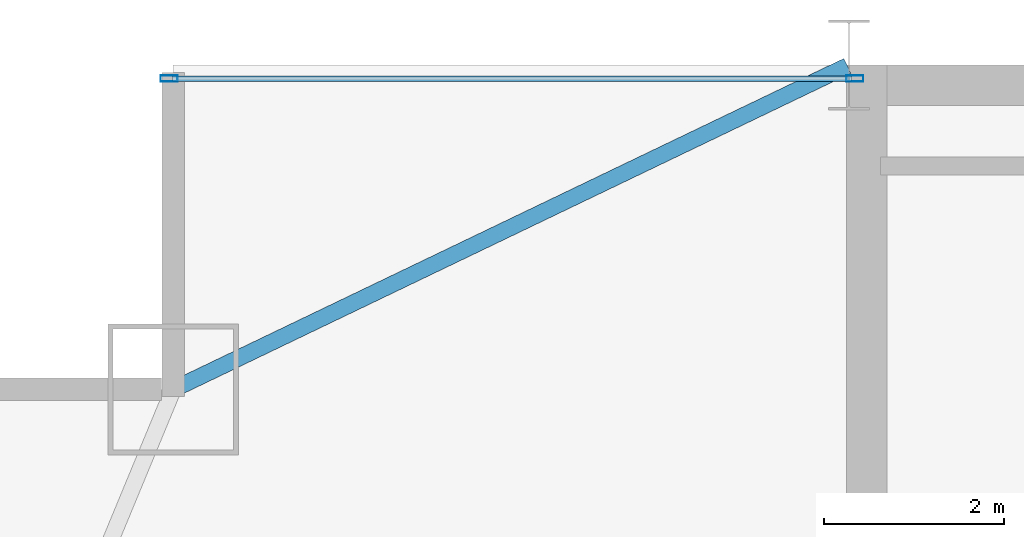
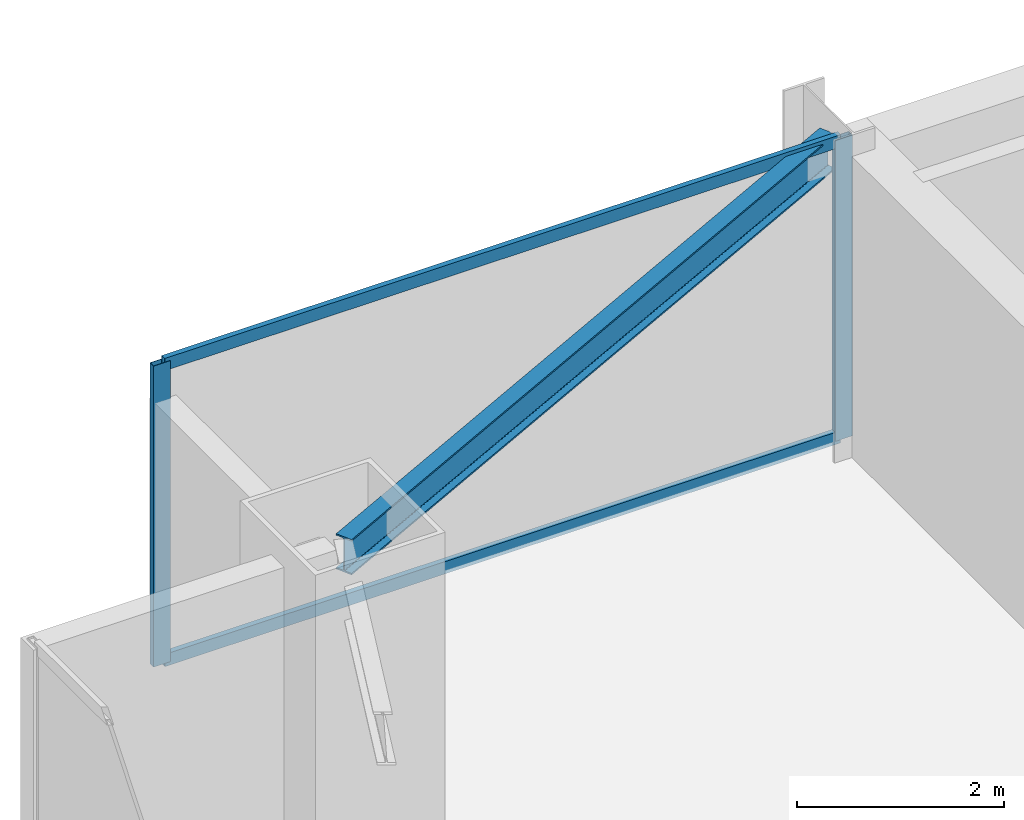
# One storey, part 22 of 37: 4 members, 1 beam, 1 element without a shape of its own.
"""IFC4 building model written with IfcOpenShell, lengths in metres."""

from ifc_helpers import new_model, si_unit, direction, frame, origin, origin_2d, place, context, subcontext, project, spatial, hollow_rectangle, i_section, extrude, source, transform, mapped, material, layer, layer_set, material_profile, profile_set, type_object, type_shapes, element, aggregate, save


model = new_model("IFC4")

# Units and contexts
model_context = context("Model", 3, precision=1e-05, world=origin(), true_north=direction((0.0, 1.0)))
body_context = subcontext(model_context, "Body", "Model", "MODEL_VIEW")
ifc_project = project(units=[si_unit("LENGTHUNIT", "METRE"), si_unit("AREAUNIT", "SQUARE_METRE"), si_unit("VOLUMEUNIT", "CUBIC_METRE"), si_unit("PLANEANGLEUNIT", "RADIAN"), si_unit("MASSUNIT", "GRAM", prefix="KILO")], contexts=[model_context])

# Site, building, storey
site_placement = place(None, origin())
site = spatial("IfcSite", under=ifc_project, at=site_placement, CompositionType="ELEMENT")
building_placement = place(site_placement, origin())
building = spatial("IfcBuilding", under=site, at=building_placement, Name="Varnel Quay Broadcast Tower", CompositionType="ELEMENT")
storey_placement = place(building_placement, frame((0.0, 0.0, 125.800048828125)))
storey = spatial("IfcBuildingStorey", under=building, at=storey_placement, Name="L30", CompositionType="ELEMENT", Elevation=125.800048828125)

# Beam
ifc_material_1 = material(Name="Structural Steel CSA G40.21 350W", Category="steel")
ifc_material_profile_1 = material_profile(ifc_material_1, i_section(OverallWidth=0.180908203125, OverallDepth=0.4169921875, WebThickness=0.010986328125, FlangeThickness=0.018310546875, FilletRadius=0.011962890625, at=origin_2d()), Name="W410X85")
ifc_profile_set_1 = profile_set([ifc_material_profile_1], Name="Structural Steel CSA G40.21 350W")
beam_type = type_object("IfcBeamType", Name="Beam_W410X85", PredefinedType="SPANDREL", material=ifc_profile_set_1)
shared_shape_1 = source(origin(), body_context, "Body", "SweptSolid", [
    extrude(i_section(OverallWidth=0.180908203125, OverallDepth=0.4169921875, WebThickness=0.010986328125, FlangeThickness=0.018310546875, FilletRadius=0.011962890625, at=origin_2d()), origin(), (0.0, 0.0, 1.0), 8.279296875),
])
type_shapes(beam_type, [shared_shape_1])
beam_placement = place(storey_placement, frame((8.117919921875, 43.208740234375, 3.341552734375), z_axis=(0.901535021024, 0.432706142626, 0.0), x_axis=(-0.432706142626, 0.901535021024, 0.0)))
element("IfcBeam", 1, at=beam_placement, inside=storey, type_object=beam_type, Name="L30 NW Tie Spandrel", PredefinedType="SPANDREL", context=body_context, shape_type="MappedRepresentation", body=[
    mapped(shared_shape_1, transform((0.0, 0.0, 0.0), x_axis=(1.0, 0.0, 0.0), y_axis=(0.0, 1.0, 0.0), z_axis=(0.0, 0.0, 1.0), scale=1.0)),
])

# Curtain wall, members
ifc_material_2 = material(Name="Anodised Bronze Aluminium 6063-T6", Category="aluminium")
ifc_layer = layer(ifc_material_2, 0.18994140625, Name="Anodised Bronze Aluminium 6063-T6")
ifc_layer_set = layer_set([ifc_layer], Name="Anodised Bronze Aluminium 6063-T6")
curtain_wall_type = type_object("IfcCurtainWallType", Name="CW_LowerTower", PredefinedType="NOTDEFINED", material=ifc_layer_set)
curtain_wall_placement = place(storey_placement, origin())
curtain_wall = element("IfcCurtainWall", 2, at=curtain_wall_placement, inside=storey, type_object=curtain_wall_type, Name="L30 NW Wing Curtain Wall", PredefinedType="NOTDEFINED")
ifc_material_profile_2 = material_profile(ifc_material_2, hollow_rectangle(XDim=0.070068359375, YDim=0.18994140625, WallThickness=0.00390625, at=origin_2d()), Name="ALU70X190X4")
ifc_profile_set_2 = profile_set([ifc_material_profile_2], Name="Anodised Bronze Aluminium 6063-T6")
member_type_1 = type_object("IfcMemberType", Name="Mull_CWS-02", PredefinedType="MULLION", material=ifc_profile_set_2)
shared_shape_2 = source(origin(), body_context, "Body", "SweptSolid", [
    extrude(hollow_rectangle(XDim=0.070068359375, YDim=0.18994140625, WallThickness=0.00390625, at=origin_2d()), origin(), (0.0, 0.0, 1.0), 3.550048828125),
])
type_shapes(member_type_1, [shared_shape_2])
member_1_placement = place(storey_placement, frame((8.054931640625, 46.64990234375, 0.0), z_axis=(0.0, 0.0, 1.0), x_axis=(0.0, 1.0, 0.0)))
member_1 = element("IfcMember", 3, at=member_1_placement, type_object=member_type_1, Name="CWS-02 mullion 1", PredefinedType="MULLION", context=body_context, shape_type="MappedRepresentation", body=[
    mapped(shared_shape_2, transform((0.0, 0.0, 0.0), x_axis=(1.0, 0.0, 0.0), y_axis=(0.0, 1.0, 0.0), z_axis=(0.0, 0.0, 1.0), scale=1.0)),
])
member_2_placement = place(storey_placement, frame((15.6650390625, 46.64990234375, 0.0), z_axis=(0.0, 0.0, 1.0), x_axis=(0.0, 1.0, 0.0)))
member_2 = element("IfcMember", 4, at=member_2_placement, type_object=member_type_1, Name="CWS-02 mullion 2", PredefinedType="MULLION", context=body_context, shape_type="MappedRepresentation", body=[
    mapped(shared_shape_2, transform((0.0, 0.0, 0.0), x_axis=(1.0, 0.0, 0.0), y_axis=(0.0, 1.0, 0.0), z_axis=(0.0, 0.0, 1.0), scale=1.0)),
])
ifc_material_profile_3 = material_profile(ifc_material_2, hollow_rectangle(XDim=0.06005859375, YDim=0.14501953125, WallThickness=0.00341796875, at=origin_2d()), Name="ALU60X145X3.5")
ifc_profile_set_3 = profile_set([ifc_material_profile_3], Name="Anodised Bronze Aluminium 6063-T6")
member_type_2 = type_object("IfcMemberType", Name="Tran_CWS-02", PredefinedType="USERDEFINED", material=ifc_profile_set_3)
shared_shape_3 = source(origin(), body_context, "Body", "SweptSolid", [
    extrude(hollow_rectangle(XDim=0.06005859375, YDim=0.14501953125, WallThickness=0.00341796875, at=origin_2d()), origin(), (0.0, 0.0, 1.0), 7.539794921875),
])
type_shapes(member_type_2, [shared_shape_3])
member_3_placement = place(storey_placement, frame((8.090087890625, 46.64990234375, 0.030029296875), z_axis=(1.0, 0.0, 0.0), x_axis=(0.0, 1.0, 0.0)))
member_3 = element("IfcMember", 5, at=member_3_placement, type_object=member_type_2, Name="CWS-02 transom 1.1", ObjectType="TRANSOM", PredefinedType="USERDEFINED", context=body_context, shape_type="MappedRepresentation", body=[
    mapped(shared_shape_3, transform((0.0, 0.0, 0.0), x_axis=(1.0, 0.0, 0.0), y_axis=(0.0, 1.0, 0.0), z_axis=(0.0, 0.0, 1.0), scale=1.0)),
])
member_4_placement = place(storey_placement, frame((8.090087890625, 46.64990234375, 3.52001953125), z_axis=(1.0, 0.0, 0.0), x_axis=(0.0, 1.0, 0.0)))
member_4 = element("IfcMember", 6, at=member_4_placement, type_object=member_type_2, Name="CWS-02 transom 1.2", ObjectType="TRANSOM", PredefinedType="USERDEFINED", context=body_context, shape_type="MappedRepresentation", body=[
    mapped(shared_shape_3, transform((0.0, 0.0, 0.0), x_axis=(1.0, 0.0, 0.0), y_axis=(0.0, 1.0, 0.0), z_axis=(0.0, 0.0, 1.0), scale=1.0)),
])
aggregate(curtain_wall, [member_1, member_2, member_3, member_4])

save(model, "model.ifc")
